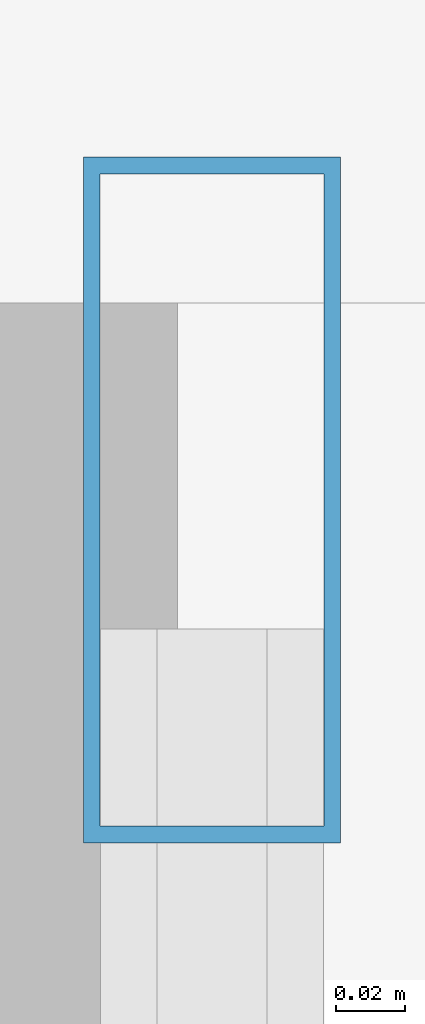
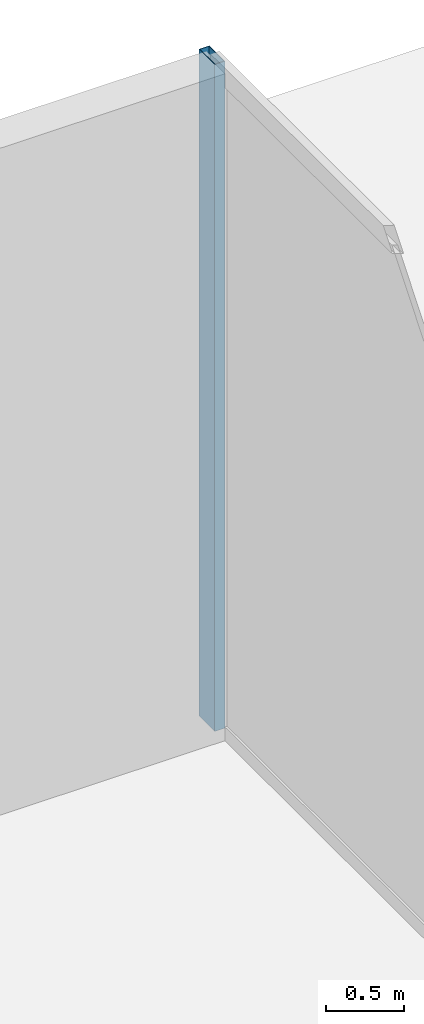
# One storey, part 25 of 38: 1 member, 1 element without a shape of its own.
"""IFC4 building model written with IfcOpenShell, lengths in metres."""

from ifc_helpers import new_model, si_unit, direction, frame, origin, origin_2d, place, context, subcontext, project, spatial, hollow_rectangle, extrude, material, layer, layer_set, material_profile, profile_set, type_object, element, aggregate, save


model = new_model("IFC4")

# Units and contexts
model_context = context("Model", 3, precision=1e-05, world=origin(), true_north=direction((0.0, 1.0)))
body_context = subcontext(model_context, "Body", "Model", "MODEL_VIEW")
ifc_project = project(units=[si_unit("LENGTHUNIT", "METRE"), si_unit("AREAUNIT", "SQUARE_METRE"), si_unit("VOLUMEUNIT", "CUBIC_METRE"), si_unit("PLANEANGLEUNIT", "RADIAN"), si_unit("MASSUNIT", "GRAM", prefix="KILO")], contexts=[model_context])

# Site, building, storey
site_placement = place(None, origin())
site = spatial("IfcSite", under=ifc_project, at=site_placement, CompositionType="ELEMENT")
building_placement = place(site_placement, origin())
building = spatial("IfcBuilding", under=site, at=building_placement, Name="Orvanel Arch Residences", CompositionType="ELEMENT")
storey_placement = place(building_placement, origin())
storey = spatial("IfcBuildingStorey", under=building, at=storey_placement, Name="L00", CompositionType="ELEMENT", Elevation=0.0)

# Curtain wall, member
ifc_material = material(Name="Bronze-anodised aluminium AA6063-T6", Category="aluminium")
ifc_layer = layer(ifc_material, 0.199951171875)
ifc_layer_set = layer_set([ifc_layer], Name="Bronze-anodised aluminium AA6063-T6")
curtain_wall_type = type_object("IfcCurtainWallType", Name="CW1-POD-SYS", PredefinedType="NOTDEFINED", material=ifc_layer_set)
curtain_wall_placement = place(storey_placement, origin())
curtain_wall = element("IfcCurtainWall", 1, at=curtain_wall_placement, inside=storey, type_object=curtain_wall_type, Name="L00 CW1-POD-SYS Unitised Curtain Wall", PredefinedType="NOTDEFINED")
ifc_material_profile = material_profile(ifc_material, hollow_rectangle(XDim=0.074951171875, YDim=0.199951171875, WallThickness=0.0048828125, at=origin_2d()), Name="ALU200x75x5")
ifc_profile_set = profile_set([ifc_material_profile], Name="Bronze-anodised aluminium AA6063-T6")
member_type = type_object("IfcMemberType", Name="MUL-200x75", PredefinedType="MULLION", material=ifc_profile_set)
member_placement = place(storey_placement, frame((64.449951171875, 53.142578125, 0.0), z_axis=(0.0, 0.0, 1.0), x_axis=(-1.0, 0.0, 0.0)))
member = element("IfcMember", 2, at=member_placement, type_object=member_type, Name="CW-S1 mullion 9", PredefinedType="MULLION", context=body_context, shape_type="SweptSolid", body=[
    extrude(hollow_rectangle(XDim=0.074951171875, YDim=0.199951171875, WallThickness=0.0048828125, at=origin_2d()), origin(), (0.0, 0.0, 1.0), 5.219970703125),
])
aggregate(curtain_wall, [member])

save(model, "model.ifc")
